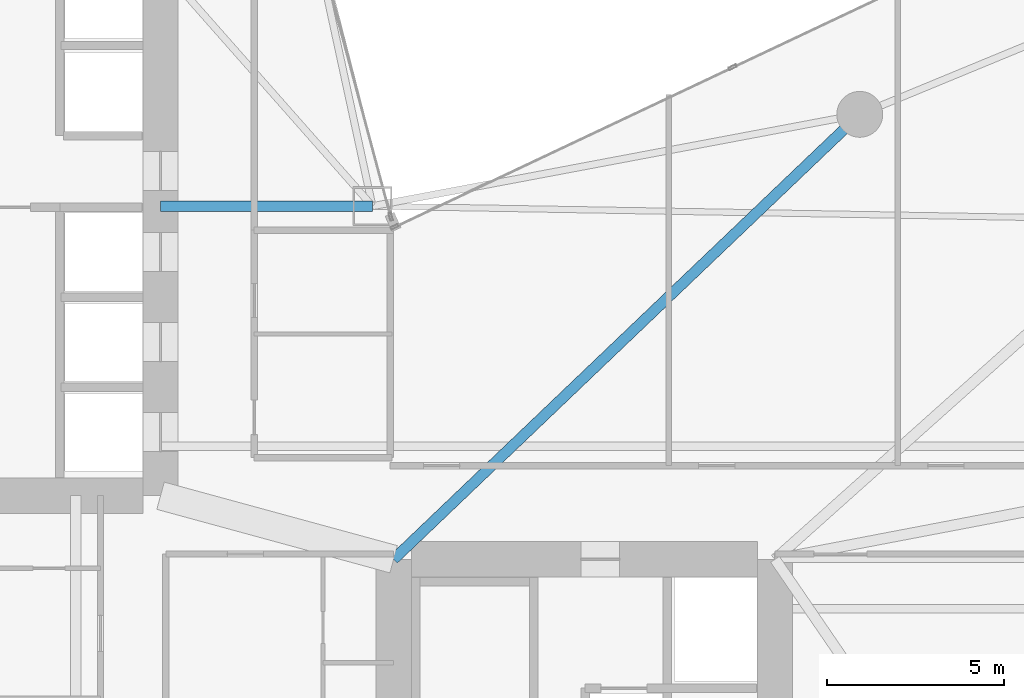
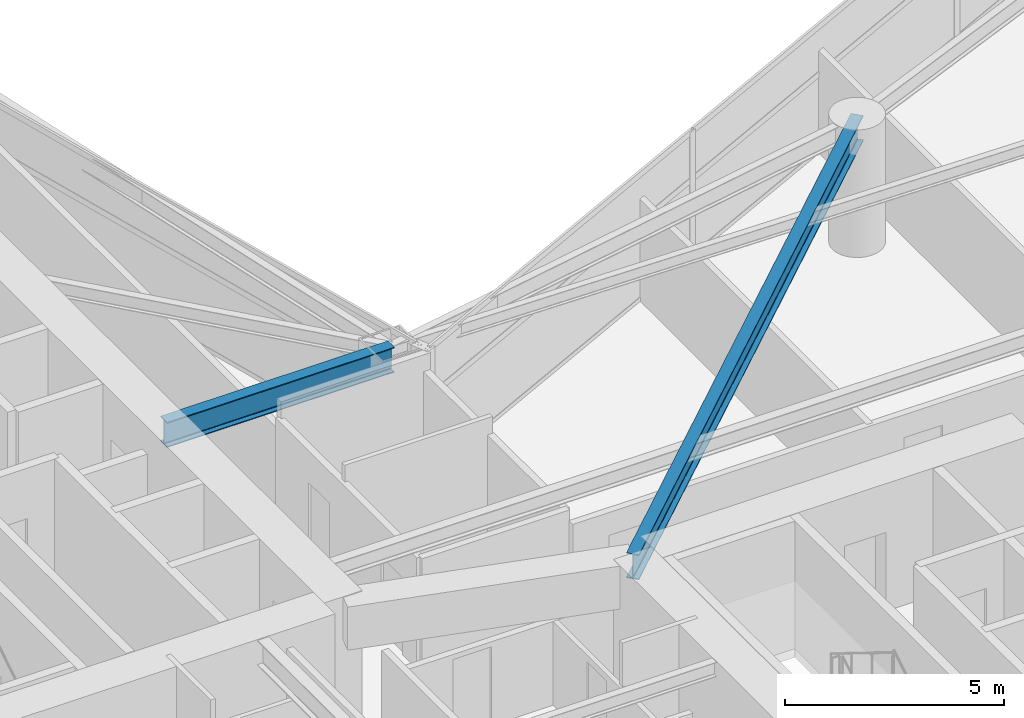
# One storey, part 9 of 29: 2 beams.
"""IFC4 building model written with IfcOpenShell, lengths in metres."""

import ifcopenshell
import ifcopenshell.guid

model = None  # the IFC model being written
_history = None  # IfcOwnerHistory: only IFC2X3 demands one
_inside = {}  # id of a spatial element -> (the spatial element, [elements in it])
_under = {}  # id of a project, library or spatial element -> (it, [spatial elements below it])
_declared = {}  # id of a project -> (the project, [libraries it declares])
_typed = {}  # id of a type object -> (the type object, [elements of that type])
_made_of = {}  # id of a material, layer set ... -> (it, [elements and type objects made of it])


def new_model(schema):
    """Start an empty IFC model of exactly this schema.

    Asked for "IFC4X3", IfcOpenShell would pick the latest addendum, in which some entities
    have other attributes; the version numbers below select the first issue.
    IFC2X3 requires an IfcOwnerHistory on every rooted entity: one is made here for all.
    """
    global model, _history
    if schema == "IFC4X3":
        model = ifcopenshell.file(schema_version=(4, 3, 0, 0))
    else:
        model = ifcopenshell.file(schema=schema)
    _inside.clear()
    _under.clear()
    _declared.clear()
    _typed.clear()
    _made_of.clear()
    _history = None
    if model.schema == "IFC2X3":
        org = make("IfcOrganization", Name="unknown")
        user = make(
            "IfcPersonAndOrganization",
            ThePerson=make("IfcPerson", FamilyName="unknown"),
            TheOrganization=org,
        )
        app = make(
            "IfcApplication",
            ApplicationDeveloper=org,
            Version="unknown",
            ApplicationFullName="unknown",
            ApplicationIdentifier="unknown",
        )
        _history = make(
            "IfcOwnerHistory",
            OwningUser=user,
            OwningApplication=app,
            ChangeAction="ADDED",
            CreationDate=0,
        )
    return model


def make(cls, **values):
    """One entity of the class cls with the attributes given. An attribute that is None is left unset."""
    return model.create_entity(
        cls, **{name: value for name, value in values.items() if value is not None}
    )


def rooted(cls, **values):
    """An entity with a GlobalId (a new one), such as an element, a storey or a relation."""
    return make(cls, GlobalId=ifcopenshell.guid.new(), OwnerHistory=_history, **values)


def si_unit(unit_type, name, prefix=None):
    """IfcSIUnit, for example si_unit("LENGTHUNIT", "METRE", prefix="MILLI")."""
    return make("IfcSIUnit", UnitType=unit_type, Prefix=prefix, Name=name)


def assignment(units):
    """IfcUnitAssignment: the units of a project."""
    return None if units is None else make("IfcUnitAssignment", Units=units)


def point(xyz):
    """IfcCartesianPoint."""
    return None if xyz is None else make("IfcCartesianPoint", Coordinates=xyz)


def direction(xyz):
    """IfcDirection."""
    return None if xyz is None else make("IfcDirection", DirectionRatios=xyz)


def frame(location, z_axis=None, x_axis=None):
    """IfcAxis2Placement3D, a coordinate frame: its origin and axes. An axis left out is left unset."""
    return make(
        "IfcAxis2Placement3D",
        Location=point(location),
        Axis=direction(z_axis),
        RefDirection=direction(x_axis),
    )


def frame_2d(location, x_axis=None):
    """IfcAxis2Placement2D, a coordinate frame in the plane: its origin and x axis."""
    return make(
        "IfcAxis2Placement2D", Location=point(location), RefDirection=direction(x_axis)
    )


def origin():
    """The frame at (0, 0, 0) with its axes left unset."""
    return frame((0.0, 0.0, 0.0))


def origin_2d():
    """The frame at (0, 0) in the plane with its x axis left unset."""
    return frame_2d((0.0, 0.0))


def place(relative_to, where):
    """IfcLocalPlacement: puts the frame where relative to a parent placement (None: the world)."""
    return make(
        "IfcLocalPlacement", PlacementRelTo=relative_to, RelativePlacement=where
    )


def context(
    kind, dimensions, precision=None, world=None, true_north=None, identifier=None
):
    """IfcGeometricRepresentationContext, for example the 3D "Model" context."""
    return make(
        "IfcGeometricRepresentationContext",
        ContextIdentifier=identifier,
        ContextType=kind,
        CoordinateSpaceDimension=dimensions,
        Precision=precision,
        WorldCoordinateSystem=world,
        TrueNorth=true_north,
    )


def subcontext(parent, identifier, kind, view, scale=None):
    """IfcGeometricRepresentationSubContext, for example "Body" below "Model"."""
    return make(
        "IfcGeometricRepresentationSubContext",
        ContextIdentifier=identifier,
        ContextType=kind,
        ParentContext=parent,
        TargetScale=scale,
        TargetView=view,
    )


def project(units=None, contexts=None):
    """IfcProject with its units and contexts."""
    return rooted(
        "IfcProject",
        Name="project",
        RepresentationContexts=contexts,
        UnitsInContext=assignment(units),
    )


def spatial(cls, under=None, at=None, **own):
    """A site, building, storey or space (cls), placed at a placement, below another one or the project."""
    s = rooted(cls, ObjectPlacement=at, **own)
    if under is not None:
        _under.setdefault(under.id(), (under, []))[1].append(s)
    return s


def profile(cls, at=None, kind="AREA", **sizes):
    """A parametric profile (cls). Its sizes go by their IFC names, for example OverallWidth=200.0."""
    return make(cls, ProfileType=kind, Position=at, **sizes)


def i_section(**sizes):
    """IfcIShapeProfileDef."""
    return profile("IfcIShapeProfileDef", **sizes)


def extrude(swept, where, along, depth):
    """IfcExtrudedAreaSolid: the profile swept, set in the frame where, extruded along a direction by depth."""
    return make(
        "IfcExtrudedAreaSolid",
        SweptArea=swept,
        Position=where,
        ExtrudedDirection=direction(along),
        Depth=depth,
    )


def shape(context_of_items, identifier, shape_type, items):
    """IfcShapeRepresentation: the items that make up one representation, for example the "Body"."""
    return make(
        "IfcShapeRepresentation",
        ContextOfItems=context_of_items,
        RepresentationIdentifier=identifier,
        RepresentationType=shape_type,
        Items=items,
    )


def material(Name=None, Category=None):
    """IfcMaterial."""
    return make("IfcMaterial", Name=Name, Category=Category)


def material_profile(
    of_material, cross_section, Name=None, Category=None, Priority=None
):
    """IfcMaterialProfile: a cross section and its material."""
    return make(
        "IfcMaterialProfile",
        Name=Name,
        Material=of_material,
        Profile=cross_section,
        Priority=Priority,
        Category=Category,
    )


def profile_set(profiles, Name=None, composite=None):
    """IfcMaterialProfileSet."""
    return make(
        "IfcMaterialProfileSet",
        Name=Name,
        MaterialProfiles=profiles,
        CompositeProfile=composite,
    )


def made_of(thing, what):
    """Note that an element or type object is made of a material, layer set ...; save() writes the relation."""
    if what is not None:
        _made_of.setdefault(what.id(), (what, []))[1].append(thing)
    return thing


def type_object(cls, material=None, **own):
    """A type object (cls), such as IfcWallType, which elements share."""
    return made_of(rooted(cls, **own), material)


def element(
    cls,
    number,
    at=None,
    inside=None,
    cuts=None,
    type_object=None,
    material=None,
    context=None,
    identifier="Body",
    shape_type=None,
    held_by="IfcProductDefinitionShape",
    body=None,
    shapes=None,
    **own,
):
    """One element of the class cls, such as IfcWall. Its Tag is "e" and its number.

    at: its placement. inside: the storey or other place that contains it. cuts: it is an
    opening in that element (IfcRelVoidsElement). A single representation is given by context,
    identifier, shape_type and body (its items); several are given by shapes. held_by: the class
    of the entity that holds the representations. save() writes the other relations.
    """
    e = rooted(cls, Tag="e%d" % number, ObjectPlacement=at, **own)
    if body is not None:
        shapes = [shape(context, identifier, shape_type, body)]
    if shapes is not None:
        e.Representation = make(held_by, Representations=shapes)
    if inside is not None:
        _inside.setdefault(inside.id(), (inside, []))[1].append(e)
    if cuts is not None:
        rooted(
            "IfcRelVoidsElement", RelatingBuildingElement=cuts, RelatedOpeningElement=e
        )
    if type_object is not None:
        _typed.setdefault(type_object.id(), (type_object, []))[1].append(e)
    return made_of(e, material)


def aggregate(whole, parts):
    """IfcRelAggregates: a whole, such as a stair, and the parts it consists of."""
    return rooted("IfcRelAggregates", RelatingObject=whole, RelatedObjects=parts)


def save(model, path):
    """Write the relations noted so far, then the file.

    IfcRelAggregates (storeys below a building ...), IfcRelContainedInSpatialStructure (elements
    in a storey), IfcRelDefinesByType, IfcRelAssociatesMaterial and IfcRelDeclares: one each for
    every whole, place, type object, material and project.
    """
    for whole, parts in _under.values():
        aggregate(whole, parts)
    for where, things in _inside.values():
        rooted(
            "IfcRelContainedInSpatialStructure",
            RelatedElements=things,
            RelatingStructure=where,
        )
    for kind, things in _typed.values():
        rooted("IfcRelDefinesByType", RelatedObjects=things, RelatingType=kind)
    for what, things in _made_of.values():
        rooted("IfcRelAssociatesMaterial", RelatedObjects=things, RelatingMaterial=what)
    for by, libraries in _declared.values():
        rooted("IfcRelDeclares", RelatingContext=by, RelatedDefinitions=libraries)
    model.write(path)


model = new_model("IFC4")

# Units and contexts
model_context = context("Model", 3, precision=1e-05, world=origin(), true_north=direction((0.0, 1.0)))
body_context = subcontext(model_context, "Body", "Model", "MODEL_VIEW")
ifc_project = project(units=[si_unit("LENGTHUNIT", "METRE"), si_unit("AREAUNIT", "SQUARE_METRE"), si_unit("VOLUMEUNIT", "CUBIC_METRE"), si_unit("PLANEANGLEUNIT", "RADIAN"), si_unit("MASSUNIT", "GRAM", prefix="KILO")], contexts=[model_context])

# Site, building, storey
site_placement = place(None, origin())
site = spatial("IfcSite", under=ifc_project, at=site_placement, CompositionType="ELEMENT")
building_placement = place(site_placement, origin())
building = spatial("IfcBuilding", under=site, at=building_placement, Name="Calvorn Quay Hotel", CompositionType="ELEMENT")
storey_placement = place(building_placement, frame((0.0, 0.0, 81.199951171875)))
storey = spatial("IfcBuildingStorey", under=building, at=storey_placement, Name="L19", CompositionType="ELEMENT", Elevation=81.199951171875)

# Beams
ifc_material = material(Name="Steel Q390GJC", Category="steel")
ifc_material_profile = material_profile(ifc_material, i_section(OverallWidth=0.300048828125, OverallDepth=0.699951171875, WebThickness=0.012939453125, FlangeThickness=0.02392578125, FilletRadius=0.02392578125, at=origin_2d()), Name="HN700x300x13x24")
ifc_profile_set = profile_set([ifc_material_profile], Name="Steel Q390GJC")
beam_type = type_object("IfcBeamType", Name="BM-GIRD-MAIN", PredefinedType="BEAM", material=ifc_profile_set)
beam_1_placement = place(storey_placement, frame((21.0, 25.0, 3.18994140625), z_axis=(-1.0, 0.0, 0.0), x_axis=(0.0, -1.0, 0.0)))
element("IfcBeam", 1, at=beam_1_placement, inside=storey, type_object=beam_type, Name="Beam BG-L19-W7", PredefinedType="BEAM", context=body_context, shape_type="SweptSolid", body=[
    extrude(i_section(OverallWidth=0.300048828125, OverallDepth=0.699951171875, WebThickness=0.012939453125, FlangeThickness=0.02392578125, FilletRadius=0.02392578125, at=origin_2d()), origin(), (0.0, 0.0, 1.0), 6.0),
])
beam_2_placement = place(storey_placement, frame((21.60009765625, 15.0, 3.18994140625), z_axis=(0.723351595578, 0.690479883252, 0.0), x_axis=(-0.690479883252, 0.723351595578, 0.0)))
element("IfcBeam", 2, at=beam_2_placement, inside=storey, type_object=beam_type, Name="Beam BG-L19-E4", PredefinedType="BEAM", context=body_context, shape_type="SweptSolid", body=[
    extrude(i_section(OverallWidth=0.300048828125, OverallDepth=0.699951171875, WebThickness=0.012939453125, FlangeThickness=0.02392578125, FilletRadius=0.02392578125, at=origin_2d()), origin(), (0.0, 0.0, 1.0), 18.248291015625),
])

save(model, "model.ifc")
